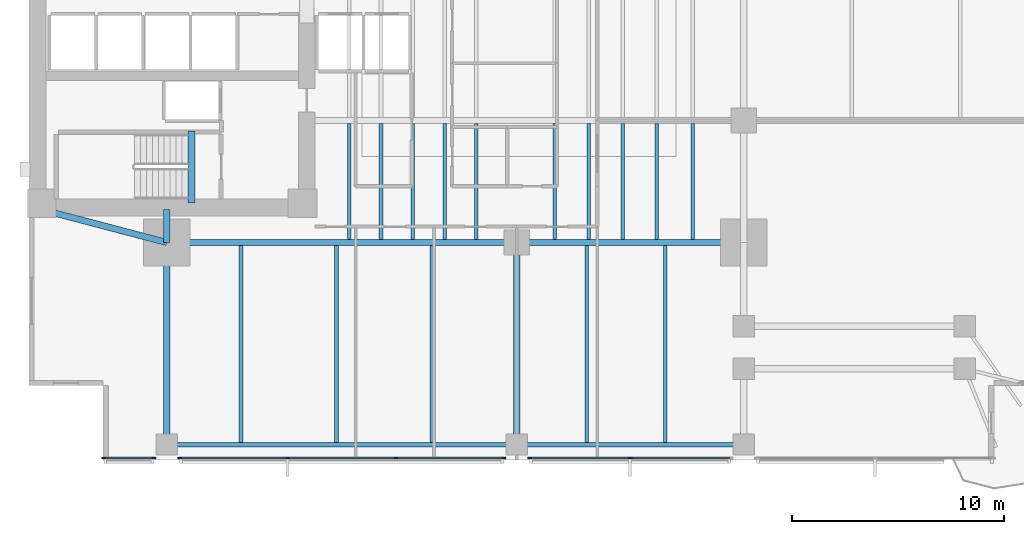
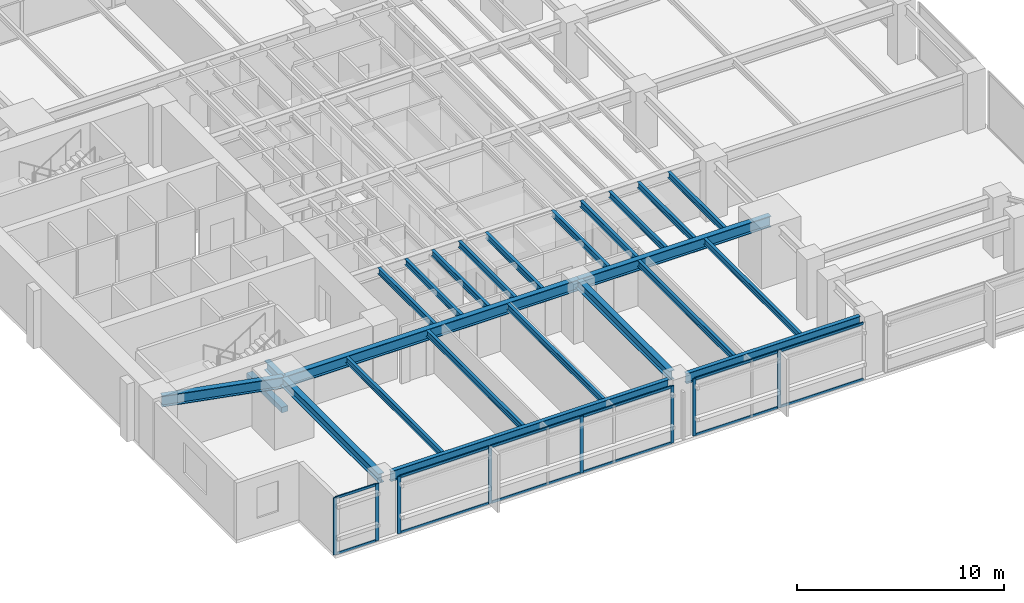
# One storey, part 2 of 15: 24 beams, 20 members, 3 elements without a shape of their own.
"""IFC4 building model written with IfcOpenShell, lengths in metres."""

from ifc_helpers import new_model, si_unit, direction, frame, origin, origin_2d, place, context, subcontext, project, spatial, rectangle, i_section, extrude, material, layer, layer_set, material_profile, profile_set, type_object, element, aggregate, save


model = new_model("IFC4")

# Units and contexts
model_context = context("Model", 3, precision=1e-05, world=origin(), true_north=direction((0.0, 1.0)))
body_context = subcontext(model_context, "Body", "Model", "MODEL_VIEW")
ifc_project = project(units=[si_unit("LENGTHUNIT", "METRE"), si_unit("AREAUNIT", "SQUARE_METRE"), si_unit("VOLUMEUNIT", "CUBIC_METRE"), si_unit("PLANEANGLEUNIT", "RADIAN"), si_unit("MASSUNIT", "GRAM", prefix="KILO")], contexts=[model_context])

# Site, building, storey
site_placement = place(None, origin())
site = spatial("IfcSite", under=ifc_project, at=site_placement, CompositionType="ELEMENT")
building_placement = place(site_placement, origin())
building = spatial("IfcBuilding", under=site, at=building_placement, Name="Kinhvarn Gate Tower", CompositionType="ELEMENT")
storey_placement = place(building_placement, frame((0.0, 0.0, 85.949951171875)))
storey = spatial("IfcBuildingStorey", under=building, at=storey_placement, Name="L22", CompositionType="ELEMENT", Elevation=85.949951171875)

# Beam
ifc_material_1 = material(Name="Concrete C50/60", Category="concrete")
ifc_material_profile_1 = material_profile(ifc_material_1, rectangle(XDim=0.340087890625, YDim=0.320068359375, at=origin_2d()), Name="RC 340x320")
ifc_profile_set_1 = profile_set([ifc_material_profile_1], Name="Concrete C50/60")
beam_type_1 = type_object("IfcBeamType", Name="BM-LND-500", PredefinedType="BEAM", material=ifc_profile_set_1)
beam_1_placement = place(storey_placement, frame((12.1650390625, 14.60009765625, -0.159912109375), z_axis=(0.0, 1.0, 0.0), x_axis=(-1.0, 0.0, 0.0)))
element("IfcBeam", 1, at=beam_1_placement, inside=storey, type_object=beam_type_1, Name="Stair ST1 Landing Nosing Beam (L22)", PredefinedType="BEAM", context=body_context, shape_type="SweptSolid", body=[
    extrude(rectangle(XDim=0.340087890625, YDim=0.320068359375, at=origin_2d()), origin(), (0.0, 0.0, 1.0), 3.39990234375),
])

# Curtain wall, members
ifc_material_2 = material(Name="Anodised aluminium AW-6063", Category="aluminium")
ifc_layer = layer(ifc_material_2, 0.179931640625)
ifc_layer_set = layer_set([ifc_layer], Name="Anodised aluminium AW-6063")
curtain_wall_type = type_object("IfcCurtainWallType", Name="CW-SYS-2", PredefinedType="NOTDEFINED", material=ifc_layer_set)
curtain_wall_1_placement = place(storey_placement, origin())
curtain_wall_1 = element("IfcCurtainWall", 2, at=curtain_wall_1_placement, inside=storey, type_object=curtain_wall_type, Name="Curtain Wall CW2 (L22)", PredefinedType="NOTDEFINED")
ifc_material_profile_2 = material_profile(ifc_material_2, rectangle(XDim=0.070068359375, YDim=0.179931640625, at=origin_2d()), Name="ALU 70x180")
ifc_profile_set_2 = profile_set([ifc_material_profile_2], Name="Anodised aluminium AW-6063")
member_type_1 = type_object("IfcMemberType", Name="CW-MUL-180", PredefinedType="MULLION", material=ifc_profile_set_2)
member_1_placement = place(storey_placement, frame((8.034912109375, 2.590087890625, 0.0), z_axis=(0.0, 0.0, 1.0), x_axis=(0.0, 1.0, 0.0)))
member_1 = element("IfcMember", 3, at=member_1_placement, type_object=member_type_1, Name="CW2 mullion 1", PredefinedType="MULLION", context=body_context, shape_type="SweptSolid", body=[
    extrude(rectangle(XDim=0.070068359375, YDim=0.179931640625, at=origin_2d()), origin(), (0.0, 0.0, 1.0), 3.3701171875),
])
member_2_placement = place(storey_placement, frame((10.385009765625, 2.590087890625, 0.0), z_axis=(0.0, 0.0, 1.0), x_axis=(0.0, 1.0, 0.0)))
member_2 = element("IfcMember", 4, at=member_2_placement, type_object=member_type_1, Name="CW2 mullion 2", PredefinedType="MULLION", context=body_context, shape_type="SweptSolid", body=[
    extrude(rectangle(XDim=0.070068359375, YDim=0.179931640625, at=origin_2d()), origin(), (0.0, 0.0, 1.0), 3.3701171875),
])

curtain_wall_2_placement = place(storey_placement, origin())
curtain_wall_2 = element("IfcCurtainWall", 5, at=curtain_wall_2_placement, inside=storey, type_object=curtain_wall_type, Name="Curtain Wall CW2 (L22)", PredefinedType="NOTDEFINED")
member_3_placement = place(storey_placement, frame((11.614990234375, 2.590087890625, 0.0), z_axis=(0.0, 0.0, 1.0), x_axis=(0.0, 1.0, 0.0)))
member_3 = element("IfcMember", 6, at=member_3_placement, type_object=member_type_1, Name="CW2 mullion 1", PredefinedType="MULLION", context=body_context, shape_type="SweptSolid", body=[
    extrude(rectangle(XDim=0.070068359375, YDim=0.179931640625, at=origin_2d()), origin(), (0.0, 0.0, 1.0), 3.3701171875),
])
member_4_placement = place(storey_placement, frame((16.693359375, 2.590087890625, 0.0), z_axis=(0.0, 0.0, 1.0), x_axis=(0.0, 1.0, 0.0)))
member_4 = element("IfcMember", 7, at=member_4_placement, type_object=member_type_1, Name="CW2 mullion 2", PredefinedType="MULLION", context=body_context, shape_type="SweptSolid", body=[
    extrude(rectangle(XDim=0.070068359375, YDim=0.179931640625, at=origin_2d()), origin(), (0.0, 0.0, 1.0), 3.3701171875),
])
member_5_placement = place(storey_placement, frame((21.806640625, 2.590087890625, 0.0), z_axis=(0.0, 0.0, 1.0), x_axis=(0.0, 1.0, 0.0)))
member_5 = element("IfcMember", 8, at=member_5_placement, type_object=member_type_1, Name="CW2 mullion 3", PredefinedType="MULLION", context=body_context, shape_type="SweptSolid", body=[
    extrude(rectangle(XDim=0.070068359375, YDim=0.179931640625, at=origin_2d()), origin(), (0.0, 0.0, 1.0), 3.3701171875),
])
member_6_placement = place(storey_placement, frame((26.885009765625, 2.590087890625, 0.0), z_axis=(0.0, 0.0, 1.0), x_axis=(0.0, 1.0, 0.0)))
member_6 = element("IfcMember", 9, at=member_6_placement, type_object=member_type_1, Name="CW2 mullion 4", PredefinedType="MULLION", context=body_context, shape_type="SweptSolid", body=[
    extrude(rectangle(XDim=0.070068359375, YDim=0.179931640625, at=origin_2d()), origin(), (0.0, 0.0, 1.0), 3.3701171875),
])

curtain_wall_3_placement = place(storey_placement, origin())
curtain_wall_3 = element("IfcCurtainWall", 10, at=curtain_wall_3_placement, inside=storey, type_object=curtain_wall_type, Name="Curtain Wall CW2 (L22)", PredefinedType="NOTDEFINED")
member_7_placement = place(storey_placement, frame((28.114990234375, 2.590087890625, 0.0), z_axis=(0.0, 0.0, 1.0), x_axis=(0.0, 1.0, 0.0)))
member_7 = element("IfcMember", 11, at=member_7_placement, type_object=member_type_1, Name="CW2 mullion 1", PredefinedType="MULLION", context=body_context, shape_type="SweptSolid", body=[
    extrude(rectangle(XDim=0.070068359375, YDim=0.179931640625, at=origin_2d()), origin(), (0.0, 0.0, 1.0), 3.3701171875),
])
member_8_placement = place(storey_placement, frame((32.85009765625, 2.590087890625, 0.0), z_axis=(0.0, 0.0, 1.0), x_axis=(0.0, 1.0, 0.0)))
member_8 = element("IfcMember", 12, at=member_8_placement, type_object=member_type_1, Name="CW2 mullion 2", PredefinedType="MULLION", context=body_context, shape_type="SweptSolid", body=[
    extrude(rectangle(XDim=0.070068359375, YDim=0.179931640625, at=origin_2d()), origin(), (0.0, 0.0, 1.0), 3.3701171875),
])

# Member
ifc_material_profile_3 = material_profile(ifc_material_2, rectangle(XDim=0.070068359375, YDim=0.139892578125, at=origin_2d()), Name="ALU 70x140")
ifc_profile_set_3 = profile_set([ifc_material_profile_3], Name="Anodised aluminium AW-6063")
member_type_2 = type_object("IfcMemberType", Name="CW-TRN-140", PredefinedType="USERDEFINED", material=ifc_profile_set_3)
member_9_placement = place(storey_placement, frame((8.070068359375, 2.590087890625, 0.03515625), z_axis=(1.0, 0.0, 0.0), x_axis=(0.0, 1.0, 0.0)))
member_9 = element("IfcMember", 13, at=member_9_placement, type_object=member_type_2, Name="CW2 transom 1.1", ObjectType="TRANSOM", PredefinedType="USERDEFINED", context=body_context, shape_type="SweptSolid", body=[
    extrude(rectangle(XDim=0.070068359375, YDim=0.139892578125, at=origin_2d()), origin(), (0.0, 0.0, 1.0), 2.280029296875),
])

member_10_placement = place(storey_placement, frame((8.070068359375, 2.590087890625, 3.3349609375), z_axis=(1.0, 0.0, 0.0), x_axis=(0.0, 1.0, 0.0)))
member_10 = element("IfcMember", 14, at=member_10_placement, type_object=member_type_2, Name="CW2 transom 1.2", ObjectType="TRANSOM", PredefinedType="USERDEFINED", context=body_context, shape_type="SweptSolid", body=[
    extrude(rectangle(XDim=0.070068359375, YDim=0.139892578125, at=origin_2d()), origin(), (0.0, 0.0, 1.0), 2.280029296875),
])

aggregate(curtain_wall_1, [member_1, member_2, member_9, member_10])

member_11_placement = place(storey_placement, frame((11.64990234375, 2.590087890625, 0.03515625), z_axis=(1.0, 0.0, 0.0), x_axis=(0.0, 1.0, 0.0)))
member_11 = element("IfcMember", 15, at=member_11_placement, type_object=member_type_2, Name="CW2 transom 1.1", ObjectType="TRANSOM", PredefinedType="USERDEFINED", context=body_context, shape_type="SweptSolid", body=[
    extrude(rectangle(XDim=0.070068359375, YDim=0.139892578125, at=origin_2d()), origin(), (0.0, 0.0, 1.0), 5.008544921875),
])

member_12_placement = place(storey_placement, frame((11.64990234375, 2.590087890625, 3.3349609375), z_axis=(1.0, 0.0, 0.0), x_axis=(0.0, 1.0, 0.0)))
member_12 = element("IfcMember", 16, at=member_12_placement, type_object=member_type_2, Name="CW2 transom 1.2", ObjectType="TRANSOM", PredefinedType="USERDEFINED", context=body_context, shape_type="SweptSolid", body=[
    extrude(rectangle(XDim=0.070068359375, YDim=0.139892578125, at=origin_2d()), origin(), (0.0, 0.0, 1.0), 5.008544921875),
])

member_13_placement = place(storey_placement, frame((16.728271484375, 2.590087890625, 0.03515625), z_axis=(1.0, 0.0, 0.0), x_axis=(0.0, 1.0, 0.0)))
member_13 = element("IfcMember", 17, at=member_13_placement, type_object=member_type_2, Name="CW2 transom 2.1", ObjectType="TRANSOM", PredefinedType="USERDEFINED", context=body_context, shape_type="SweptSolid", body=[
    extrude(rectangle(XDim=0.070068359375, YDim=0.139892578125, at=origin_2d()), origin(), (0.0, 0.0, 1.0), 5.04345703125),
])

member_14_placement = place(storey_placement, frame((16.728271484375, 2.590087890625, 3.3349609375), z_axis=(1.0, 0.0, 0.0), x_axis=(0.0, 1.0, 0.0)))
member_14 = element("IfcMember", 18, at=member_14_placement, type_object=member_type_2, Name="CW2 transom 2.2", ObjectType="TRANSOM", PredefinedType="USERDEFINED", context=body_context, shape_type="SweptSolid", body=[
    extrude(rectangle(XDim=0.070068359375, YDim=0.139892578125, at=origin_2d()), origin(), (0.0, 0.0, 1.0), 5.04345703125),
])

member_15_placement = place(storey_placement, frame((21.841552734375, 2.590087890625, 0.03515625), z_axis=(1.0, 0.0, 0.0), x_axis=(0.0, 1.0, 0.0)))
member_15 = element("IfcMember", 19, at=member_15_placement, type_object=member_type_2, Name="CW2 transom 3.1", ObjectType="TRANSOM", PredefinedType="USERDEFINED", context=body_context, shape_type="SweptSolid", body=[
    extrude(rectangle(XDim=0.070068359375, YDim=0.139892578125, at=origin_2d()), origin(), (0.0, 0.0, 1.0), 5.008544921875),
])

member_16_placement = place(storey_placement, frame((21.841552734375, 2.590087890625, 3.3349609375), z_axis=(1.0, 0.0, 0.0), x_axis=(0.0, 1.0, 0.0)))
member_16 = element("IfcMember", 20, at=member_16_placement, type_object=member_type_2, Name="CW2 transom 3.2", ObjectType="TRANSOM", PredefinedType="USERDEFINED", context=body_context, shape_type="SweptSolid", body=[
    extrude(rectangle(XDim=0.070068359375, YDim=0.139892578125, at=origin_2d()), origin(), (0.0, 0.0, 1.0), 5.008544921875),
])

aggregate(curtain_wall_2, [member_3, member_4, member_5, member_6, member_11, member_12, member_13, member_14, member_15, member_16])

member_17_placement = place(storey_placement, frame((28.14990234375, 2.590087890625, 0.03515625), z_axis=(1.0, 0.0, 0.0), x_axis=(0.0, 1.0, 0.0)))
member_17 = element("IfcMember", 21, at=member_17_placement, type_object=member_type_2, Name="CW2 transom 1.1", ObjectType="TRANSOM", PredefinedType="USERDEFINED", context=body_context, shape_type="SweptSolid", body=[
    extrude(rectangle(XDim=0.070068359375, YDim=0.139892578125, at=origin_2d()), origin(), (0.0, 0.0, 1.0), 4.6650390625),
])

member_18_placement = place(storey_placement, frame((28.14990234375, 2.590087890625, 3.3349609375), z_axis=(1.0, 0.0, 0.0), x_axis=(0.0, 1.0, 0.0)))
member_18 = element("IfcMember", 22, at=member_18_placement, type_object=member_type_2, Name="CW2 transom 1.2", ObjectType="TRANSOM", PredefinedType="USERDEFINED", context=body_context, shape_type="SweptSolid", body=[
    extrude(rectangle(XDim=0.070068359375, YDim=0.139892578125, at=origin_2d()), origin(), (0.0, 0.0, 1.0), 4.6650390625),
])

member_19_placement = place(storey_placement, frame((32.885009765625, 2.590087890625, 0.03515625), z_axis=(1.0, 0.0, 0.0), x_axis=(0.0, 1.0, 0.0)))
member_19 = element("IfcMember", 23, at=member_19_placement, type_object=member_type_2, Name="CW2 transom 2.1", ObjectType="TRANSOM", PredefinedType="USERDEFINED", context=body_context, shape_type="SweptSolid", body=[
    extrude(rectangle(XDim=0.070068359375, YDim=0.139892578125, at=origin_2d()), origin(), (0.0, 0.0, 1.0), 4.6650390625),
])

member_20_placement = place(storey_placement, frame((32.885009765625, 2.590087890625, 3.3349609375), z_axis=(1.0, 0.0, 0.0), x_axis=(0.0, 1.0, 0.0)))
member_20 = element("IfcMember", 24, at=member_20_placement, type_object=member_type_2, Name="CW2 transom 2.2", ObjectType="TRANSOM", PredefinedType="USERDEFINED", context=body_context, shape_type="SweptSolid", body=[
    extrude(rectangle(XDim=0.070068359375, YDim=0.139892578125, at=origin_2d()), origin(), (0.0, 0.0, 1.0), 4.6650390625),
])

aggregate(curtain_wall_3, [member_7, member_8, member_17, member_18, member_19, member_20])

# Beams
ifc_material_3 = material(Name="Steel S355", Category="steel")
ifc_material_profile_4 = material_profile(ifc_material_3, i_section(OverallWidth=0.300048828125, OverallDepth=0.550048828125, WebThickness=0.014892578125, FlangeThickness=0.029052734375, at=origin_2d()), Name="HEB 550")
ifc_profile_set_4 = profile_set([ifc_material_profile_4], Name="Steel S355")
beam_type_2 = type_object("IfcBeamType", Name="STL-HEB550", PredefinedType="BEAM", material=ifc_profile_set_4)
beam_2_placement = place(storey_placement, frame((11.0, 3.219970703125, 3.094970703125), z_axis=(0.0, 1.0, 0.0), x_axis=(-1.0, 0.0, 0.0)))
element("IfcBeam", 25, at=beam_2_placement, inside=storey, type_object=beam_type_2, Name="Floor Beam PG-15 (L22 MCW-S)", PredefinedType="BEAM", context=body_context, shape_type="SweptSolid", body=[
    extrude(i_section(OverallWidth=0.300048828125, OverallDepth=0.550048828125, WebThickness=0.014892578125, FlangeThickness=0.029052734375, at=origin_2d()), origin(), (0.0, 0.0, 1.0), 9.530029296875),
])
beam_3_placement = place(storey_placement, frame((11.0, 12.75, 3.094970703125), z_axis=(0.0, 1.0, 0.0), x_axis=(-1.0, 0.0, 0.0)))
element("IfcBeam", 26, at=beam_3_placement, inside=storey, type_object=beam_type_2, Name="Floor Beam PG-15 (L22 MCW-CS)", PredefinedType="BEAM", context=body_context, shape_type="SweptSolid", body=[
    extrude(i_section(OverallWidth=0.300048828125, OverallDepth=0.550048828125, WebThickness=0.014892578125, FlangeThickness=0.029052734375, at=origin_2d()), origin(), (0.0, 0.0, 1.0), 1.550048828125),
])
beam_4_placement = place(storey_placement, frame((27.5, 3.705078125, 3.094970703125), z_axis=(0.0, 1.0, 0.0), x_axis=(-1.0, 0.0, 0.0)))
element("IfcBeam", 27, at=beam_4_placement, inside=storey, type_object=beam_type_2, Name="Floor Beam PG-15 (L22 SP27-S-TIE)", PredefinedType="BEAM", context=body_context, shape_type="SweptSolid", body=[
    extrude(i_section(OverallWidth=0.300048828125, OverallDepth=0.550048828125, WebThickness=0.014892578125, FlangeThickness=0.029052734375, at=origin_2d()), origin(), (0.0, 0.0, 1.0), 9.044921875),
])
ifc_material_profile_5 = material_profile(ifc_material_3, i_section(OverallWidth=0.300048828125, OverallDepth=0.64990234375, WebThickness=0.01611328125, FlangeThickness=0.031005859375, at=origin_2d()), Name="HEB 650")
ifc_profile_set_5 = profile_set([ifc_material_profile_5], Name="Steel S355")
beam_type_3 = type_object("IfcBeamType", Name="STL-HEB650", PredefinedType="BEAM", material=ifc_profile_set_5)
beam_5_placement = place(storey_placement, frame((11.0, 12.75, 3.045166015625), z_axis=(1.0, 0.0, 0.0), x_axis=(0.0, 1.0, 0.0)))
element("IfcBeam", 28, at=beam_5_placement, inside=storey, type_object=beam_type_3, Name="Floor Beam PG-17 (L22 MG-S1)", PredefinedType="BEAM", context=body_context, shape_type="SweptSolid", body=[
    extrude(i_section(OverallWidth=0.300048828125, OverallDepth=0.64990234375, WebThickness=0.01611328125, FlangeThickness=0.031005859375, at=origin_2d()), origin(), (0.0, 0.0, 1.0), 16.5),
])
beam_6_placement = place(storey_placement, frame((27.5, 12.75, 3.045166015625), z_axis=(1.0, 0.0, 0.0), x_axis=(0.0, 1.0, 0.0)))
element("IfcBeam", 29, at=beam_6_placement, inside=storey, type_object=beam_type_3, Name="Floor Beam PG-17 (L22 MG-S2)", PredefinedType="BEAM", context=body_context, shape_type="SweptSolid", body=[
    extrude(i_section(OverallWidth=0.300048828125, OverallDepth=0.64990234375, WebThickness=0.01611328125, FlangeThickness=0.031005859375, at=origin_2d()), origin(), (0.0, 0.0, 1.0), 10.699951171875),
])
beam_7_placement = place(storey_placement, frame((5.10009765625, 14.300048828125, 3.045166015625), z_axis=(0.967177623957, -0.254101246979, 0.0), x_axis=(0.254101246979, 0.967177623957, 0.0)))
element("IfcBeam", 30, at=beam_7_placement, inside=storey, type_object=beam_type_3, Name="Floor Beam PG-17 (L22 MG-SW-DIAG)", PredefinedType="BEAM", context=body_context, shape_type="SweptSolid", body=[
    extrude(i_section(OverallWidth=0.300048828125, OverallDepth=0.64990234375, WebThickness=0.01611328125, FlangeThickness=0.031005859375, at=origin_2d()), origin(), (0.0, 0.0, 1.0), 6.10009765625),
])
ifc_material_profile_6 = material_profile(ifc_material_3, i_section(OverallWidth=0.169921875, OverallDepth=0.360107421875, WebThickness=0.008056640625, FlangeThickness=0.0126953125, at=origin_2d()), Name="IPE 360")
ifc_profile_set_6 = profile_set([ifc_material_profile_6], Name="Steel S355")
beam_type_4 = type_object("IfcBeamType", Name="STL-IPE360", PredefinedType="JOIST", material=ifc_profile_set_6)
for number, where, z_axis, x_axis, name in (
    (31, (19.60009765625, 12.89990234375, 3.18994140625), (0.0, 1.0, 0.0), (-1.0, 0.0, 0.0), "Floor Joist SB-04 (L22 JC-X196-0)"),
    (32, (21.10009765625, 12.89990234375, 3.18994140625), (0.0, 1.0, 0.0), (-1.0, 0.0, 0.0), "Floor Joist SB-04 (L22 JC-X211-0)"),
    (33, (22.60009765625, 12.89990234375, 3.18994140625), (0.0, 1.0, 0.0), (-1.0, 0.0, 0.0), "Floor Joist SB-04 (L22 JC-X226-0)"),
    (34, (24.10009765625, 12.89990234375, 3.18994140625), (0.0, 1.0, 0.0), (-1.0, 0.0, 0.0), "Floor Joist SB-04 (L22 JC-X241-0)"),
    (35, (25.60009765625, 12.89990234375, 3.18994140625), (0.0, 1.0, 0.0), (-1.0, 0.0, 0.0), "Floor Joist SB-04 (L22 JC-X256-0)"),
    (36, (29.300048828125, 12.89990234375, 3.18994140625), (0.0, 1.0, 0.0), (-1.0, 0.0, 0.0), "Floor Joist SB-04 (L22 JC-X293-0)"),
    (37, (30.89990234375, 12.89990234375, 3.18994140625), (0.0, 1.0, 0.0), (-1.0, 0.0, 0.0), "Floor Joist SB-04 (L22 JC-X309-0)"),
    (38, (32.5, 12.89990234375, 3.18994140625), (0.0, 1.0, 0.0), (-1.0, 0.0, 0.0), "Floor Joist SB-04 (L22 JC-X325-0)"),
    (39, (34.10009765625, 12.89990234375, 3.18994140625), (0.0, 1.0, 0.0), (-1.0, 0.0, 0.0), "Floor Joist SB-04 (L22 JC-X341-0)"),
    (40, (35.800048828125, 12.89990234375, 3.18994140625), (0.0, 1.0, 0.0), (-1.0, 0.0, 0.0), "Floor Joist SB-04 (L22 JC-X358-0)"),
):
    element("IfcBeam", number, at=place(storey_placement, frame(where, z_axis=z_axis, x_axis=x_axis)), inside=storey, type_object=beam_type_4, Name=name, PredefinedType="JOIST", context=body_context, shape_type="SweptSolid", body=[
        extrude(i_section(OverallWidth=0.169921875, OverallDepth=0.360107421875, WebThickness=0.008056640625, FlangeThickness=0.0126953125, at=origin_2d()), origin(), (0.0, 0.0, 1.0), 5.4501953125),
    ])
for number, where, z_axis, x_axis, name in (
    (41, (14.5, 3.330078125, 3.18994140625), (0.0, 1.0, 0.0), (-1.0, 0.0, 0.0), "Floor Joist SB-04 (L22 JS-X145)"),
    (42, (19.0, 3.330078125, 3.18994140625), (0.0, 1.0, 0.0), (-1.0, 0.0, 0.0), "Floor Joist SB-04 (L22 JS-X190)"),
    (43, (23.5, 3.330078125, 3.18994140625), (0.0, 1.0, 0.0), (-1.0, 0.0, 0.0), "Floor Joist SB-04 (L22 JS-X235)"),
    (44, (30.800048828125, 3.330078125, 3.18994140625), (0.0, 1.0, 0.0), (-1.0, 0.0, 0.0), "Floor Joist SB-04 (L22 JS-X308)"),
    (45, (34.5, 3.330078125, 3.18994140625), (0.0, 1.0, 0.0), (-1.0, 0.0, 0.0), "Floor Joist SB-04 (L22 JS-X345)"),
):
    element("IfcBeam", number, at=place(storey_placement, frame(where, z_axis=z_axis, x_axis=x_axis)), inside=storey, type_object=beam_type_4, Name=name, PredefinedType="JOIST", context=body_context, shape_type="SweptSolid", body=[
        extrude(i_section(OverallWidth=0.169921875, OverallDepth=0.360107421875, WebThickness=0.008056640625, FlangeThickness=0.0126953125, at=origin_2d()), origin(), (0.0, 0.0, 1.0), 9.27001953125),
    ])
ifc_material_profile_7 = material_profile(ifc_material_3, i_section(OverallWidth=0.219970703125, OverallDepth=0.60009765625, WebThickness=0.011962890625, FlangeThickness=0.01904296875, at=origin_2d()), Name="IPE 600")
ifc_profile_set_7 = profile_set([ifc_material_profile_7], Name="Steel S355")
beam_type_5 = type_object("IfcBeamType", Name="STL-IPE600", PredefinedType="SPANDREL", material=ifc_profile_set_7)
beam_8_placement = place(storey_placement, frame((11.485107421875, 3.219970703125, 3.070068359375), z_axis=(1.0, 0.0, 0.0), x_axis=(0.0, 1.0, 0.0)))
element("IfcBeam", 46, at=beam_8_placement, inside=storey, type_object=beam_type_5, Name="Floor Spandrel SB-09 (L22 SP-S1)", PredefinedType="SPANDREL", context=body_context, shape_type="SweptSolid", body=[
    extrude(i_section(OverallWidth=0.219970703125, OverallDepth=0.60009765625, WebThickness=0.011962890625, FlangeThickness=0.01904296875, at=origin_2d()), origin(), (0.0, 0.0, 1.0), 15.52978515625),
])
beam_9_placement = place(storey_placement, frame((27.985107421875, 3.219970703125, 3.070068359375), z_axis=(1.0, 0.0, 0.0), x_axis=(0.0, 1.0, 0.0)))
element("IfcBeam", 47, at=beam_9_placement, inside=storey, type_object=beam_type_5, Name="Floor Spandrel SB-09 (L22 SP-S2)", PredefinedType="SPANDREL", context=body_context, shape_type="SweptSolid", body=[
    extrude(i_section(OverallWidth=0.219970703125, OverallDepth=0.60009765625, WebThickness=0.011962890625, FlangeThickness=0.01904296875, at=origin_2d()), origin(), (0.0, 0.0, 1.0), 9.72998046875),
])

save(model, "model.ifc")
